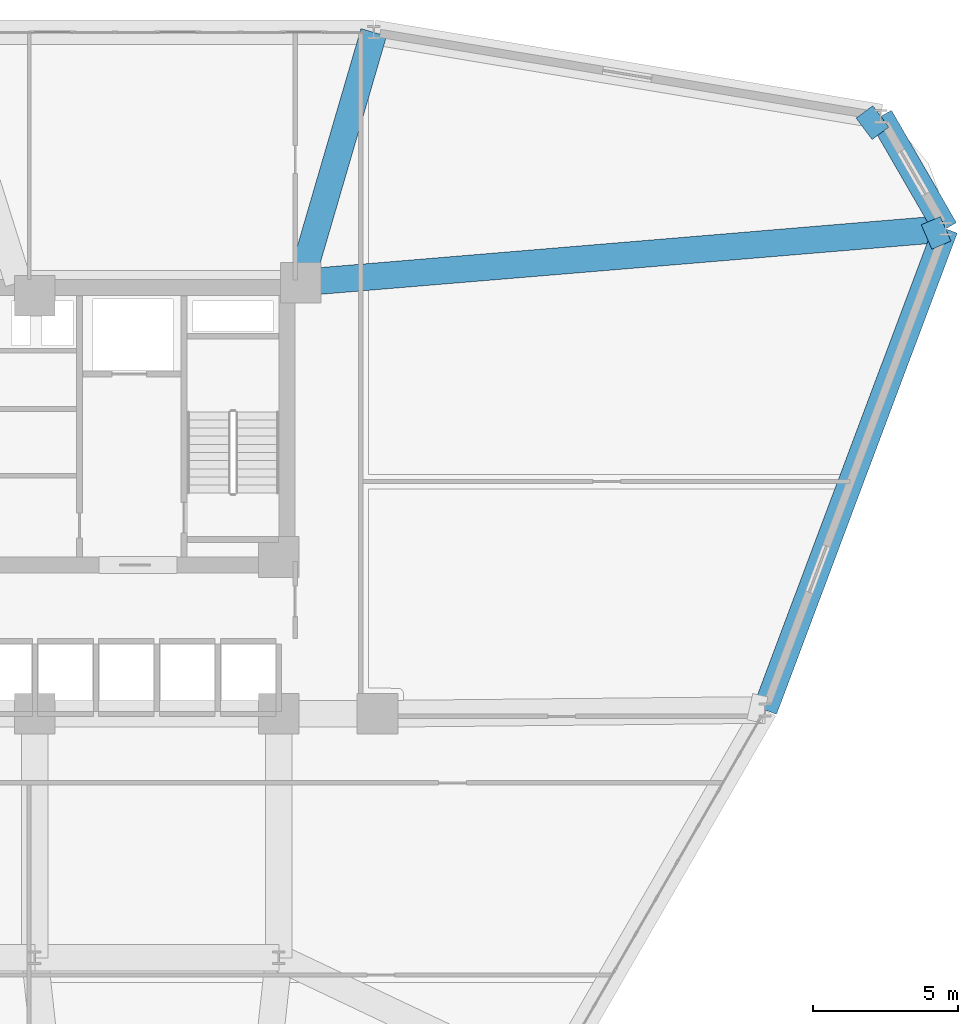
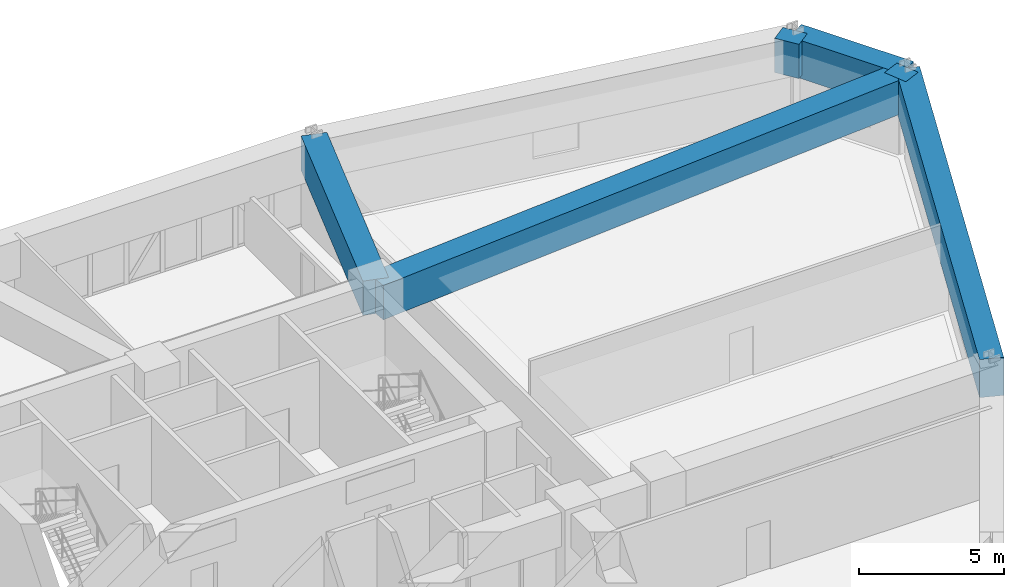
# One storey, part 10 of 17: 6 beams.
"""IFC4 building model written with IfcOpenShell, lengths in metres."""

from ifc_helpers import new_model, si_unit, derived_unit, direction, frame, origin, origin_2d, place, context, subcontext, project, spatial, rectangle, extrude, source, transform, mapped, material, material_profile, profile_set, type_object, element, save


model = new_model("IFC4")

# Units and contexts
model_context = context("Model", 3, precision=1e-05, world=origin(), true_north=direction((0.0, 1.0)))
body_context = subcontext(model_context, "Body", "Model", "MODEL_VIEW")
ifc_project = project(units=[si_unit("LENGTHUNIT", "METRE"), si_unit("AREAUNIT", "SQUARE_METRE"), si_unit("VOLUMEUNIT", "CUBIC_METRE"), si_unit("PLANEANGLEUNIT", "RADIAN"), si_unit("MASSUNIT", "GRAM", prefix="KILO"), derived_unit("THERMALTRANSMITTANCEUNIT", [(si_unit("POWERUNIT", "WATT"), 1), (si_unit("LENGTHUNIT", "METRE"), -2), (si_unit("THERMODYNAMICTEMPERATUREUNIT", "KELVIN"), -1)])], contexts=[model_context])

# Site, building, storey
site_placement = place(None, origin())
site = spatial("IfcSite", under=ifc_project, at=site_placement, CompositionType="ELEMENT")
building_placement = place(site_placement, origin())
building = spatial("IfcBuilding", under=site, at=building_placement, Name="Korsvarv Bourse and Concert Hall", CompositionType="ELEMENT")
storey_placement = place(building_placement, frame((0.0, 0.0, 83.39990234375)))
storey = spatial("IfcBuildingStorey", under=building, at=storey_placement, Name="L20", CompositionType="ELEMENT", Elevation=83.39990234375)

# Beams
ifc_material_1 = material(Name="Concrete C55/67", Category="concrete")
ifc_material_profile_1 = material_profile(ifc_material_1, rectangle(XDim=0.85009765625, YDim=1.60009765625, at=origin_2d()), Name="RC-BM 850x1600")
ifc_profile_set_1 = profile_set([ifc_material_profile_1], Name="Concrete C55/67")
beam_type_1 = type_object("IfcBeamType", Name="BM-TR1B", PredefinedType="BEAM", material=ifc_profile_set_1)
shared_shape_1 = source(origin(), body_context, "Body", "SweptSolid", [
    extrude(rectangle(XDim=0.85009765625, YDim=1.60009765625, at=origin_2d()), origin(), (0.0, 0.0, 1.0), 4.468505859375),
])
beam_1_placement = place(storey_placement, frame((67.3623046875, 49.102294921875, 2.880126953125), z_axis=(-0.500040905051, 0.866001785954, 0.0), x_axis=(-0.866001785954, -0.500040905051, 0.0)))
element("IfcBeam", 1, at=beam_1_placement, inside=storey, type_object=beam_type_1, Name="L20 beam B-TR2", PredefinedType="BEAM", context=body_context, shape_type="MappedRepresentation", body=[
    mapped(shared_shape_1, transform((0.0, 0.0, 0.0), scale=1.0)),
])
shared_shape_2 = source(origin(), body_context, "Body", "SweptSolid", [
    extrude(rectangle(XDim=0.85009765625, YDim=1.60009765625, at=origin_2d()), origin(), (0.0, 0.0, 1.0), 17.69775390625),
])
beam_2_placement = place(storey_placement, frame((61.140380859375, 32.5341796875, 2.880126953125), z_axis=(0.351563328241, 0.936164102194, 0.0), x_axis=(-0.936164102194, 0.351563328241, 0.0)))
element("IfcBeam", 2, at=beam_2_placement, inside=storey, type_object=beam_type_1, Name="L20 beam B-TR2", PredefinedType="BEAM", context=body_context, shape_type="MappedRepresentation", body=[
    mapped(shared_shape_2, transform((0.0, 0.0, 0.0), scale=1.0)),
])
ifc_material_2 = material(Name="Concrete C50/60", Category="concrete")
ifc_material_profile_2 = material_profile(ifc_material_2, rectangle(XDim=0.919921875, YDim=1.43994140625, at=origin_2d()), Name="RC-BM 920x1440")
ifc_profile_set_2 = profile_set([ifc_material_profile_2], Name="Concrete C50/60")
beam_type_2 = type_object("IfcBeamType", Name="BM-TR-144", PredefinedType="BEAM", material=ifc_profile_set_2)
shared_shape_3 = source(origin(), body_context, "Body", "SweptSolid", [
    extrude(rectangle(XDim=0.919921875, YDim=1.43994140625, at=origin_2d()), origin(), (0.0, 0.0, 1.0), 22.28955078125),
])
beam_3_placement = place(storey_placement, frame((67.3623046875, 49.102294921875, 2.960205078125), z_axis=(-0.996541073237, -0.083101680801, 0.0), x_axis=(0.083101680801, -0.996541073237, 0.0)))
element("IfcBeam", 3, at=beam_3_placement, inside=storey, type_object=beam_type_2, Name="L20 beam B-TR4", PredefinedType="BEAM", context=body_context, shape_type="MappedRepresentation", body=[
    mapped(shared_shape_3, transform((0.0, 0.0, 0.0), scale=1.0)),
])
shared_shape_4 = source(origin(), body_context, "Body", "SweptSolid", [
    extrude(rectangle(XDim=0.919921875, YDim=1.43994140625, at=origin_2d()), origin(), (0.0, 0.0, 1.0), 8.978271484375),
])
beam_4_placement = place(storey_placement, frame((47.668701171875, 55.86767578125, 2.960205078125), z_axis=(-0.280545023093, -0.959840867028, 0.0), x_axis=(0.959840867028, -0.280545023093, 0.0)))
element("IfcBeam", 4, at=beam_4_placement, inside=storey, type_object=beam_type_2, Name="L20 beam B-TR4", PredefinedType="BEAM", context=body_context, shape_type="MappedRepresentation", body=[
    mapped(shared_shape_4, transform((0.0, 0.0, 0.0), scale=1.0)),
])
shared_shape_5 = source(origin(), body_context, "Body", "SweptSolid", [
    extrude(rectangle(XDim=0.919921875, YDim=1.43994140625, at=origin_2d()), origin(), (0.0, 0.0, 1.0), 0.71533203125),
])
for number, where, z_axis, x_axis, name in (
    (5, (67.3623046875, 49.102294921875, 2.960205078125), (-0.91861469123, -0.395154462275, 0.0), (0.395154462275, -0.91861469123, 0.0), "L20 beam B-TR4"),
    (6, (65.1279296875, 52.971923828125, 2.960205078125), (-0.801594211984, -0.597868479947, 0.0), (0.597868479947, -0.801594211984, 0.0), "L20 beam B-TR4"),
):
    element("IfcBeam", number, at=place(storey_placement, frame(where, z_axis=z_axis, x_axis=x_axis)), inside=storey, type_object=beam_type_2, Name=name, PredefinedType="BEAM", context=body_context, shape_type="MappedRepresentation", body=[
        mapped(shared_shape_5, transform((0.0, 0.0, 0.0), scale=1.0)),
    ])

save(model, "model.ifc")
